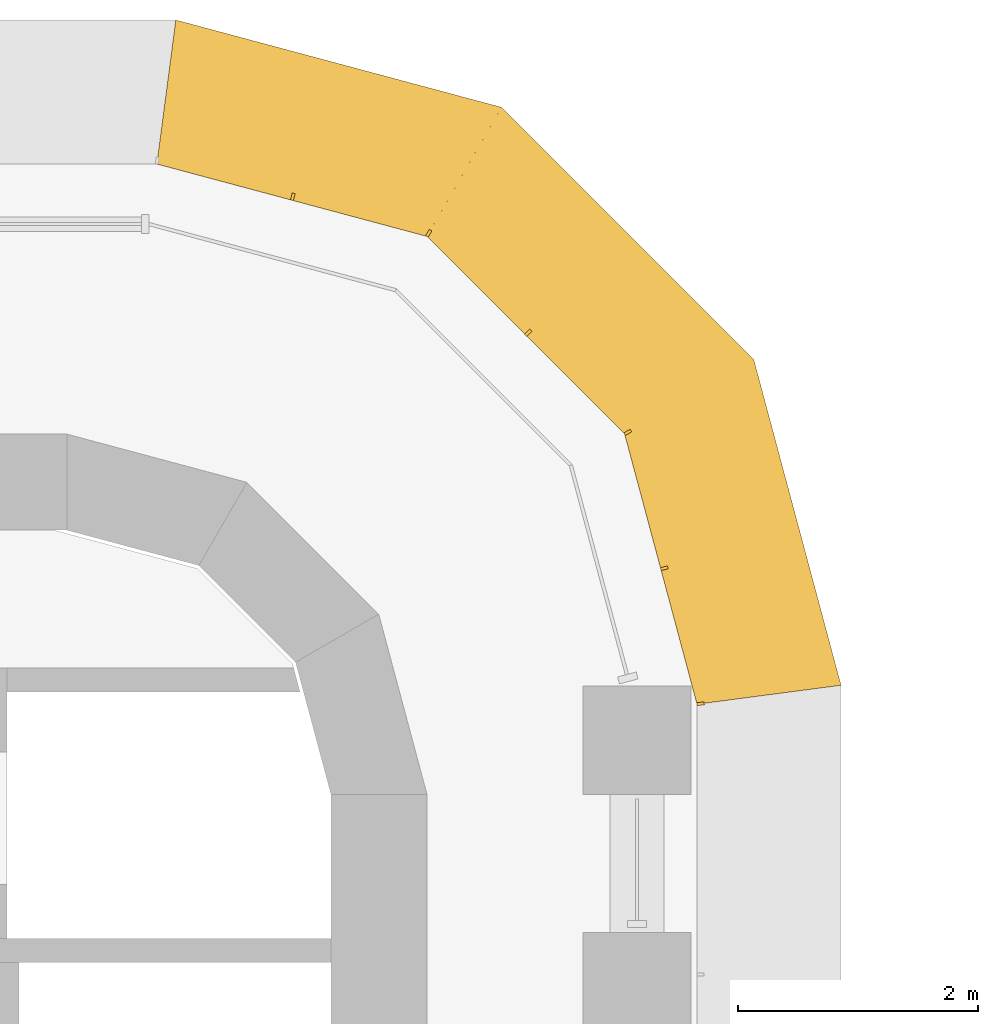
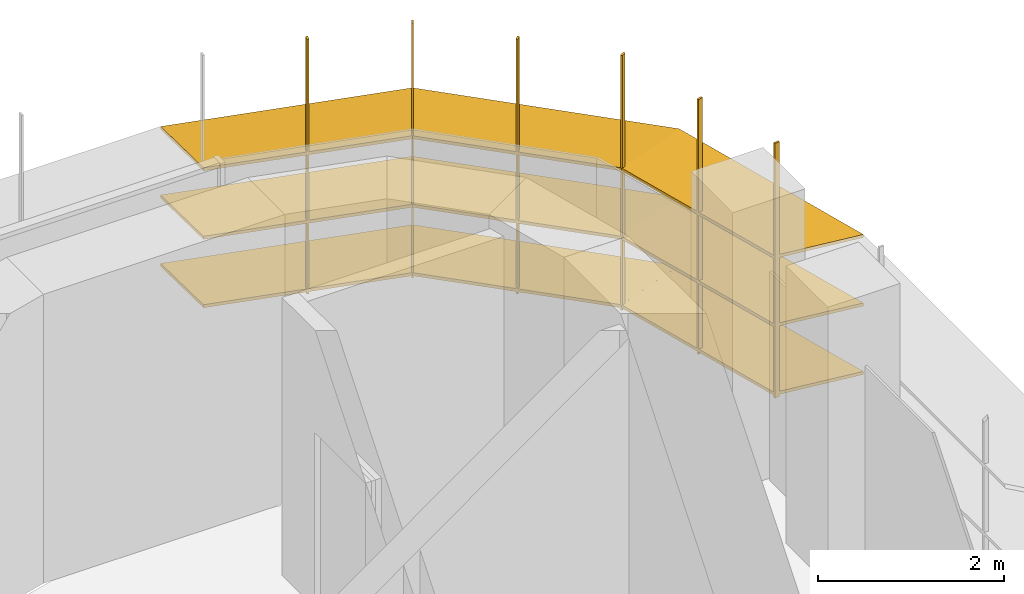
# One storey, part 21 of 21: 1 shading device.
"""IFC4 building model written with IfcOpenShell, lengths in metres."""

from ifc_helpers import new_model, si_unit, direction, frame, origin, place, context, subcontext, project, spatial, polyline, outline, extrude, faceted_brep, source, transform, mapped, material, type_object, element, save


model = new_model("IFC4")

# Units and contexts
model_context = context("Model", 3, precision=1e-05, world=origin(), true_north=direction((0.0, 1.0)))
body_context = subcontext(model_context, "Body", "Model", "MODEL_VIEW")
ifc_project = project(units=[si_unit("LENGTHUNIT", "METRE"), si_unit("AREAUNIT", "SQUARE_METRE"), si_unit("VOLUMEUNIT", "CUBIC_METRE"), si_unit("PLANEANGLEUNIT", "RADIAN"), si_unit("MASSUNIT", "GRAM", prefix="KILO")], contexts=[model_context])

# Site, building, storey
site_placement = place(None, origin())
site = spatial("IfcSite", under=ifc_project, at=site_placement, CompositionType="ELEMENT")
building_placement = place(site_placement, origin())
building = spatial("IfcBuilding", under=site, at=building_placement, Name="Zarbagh Exchange Tower", CompositionType="ELEMENT")
storey_placement = place(building_placement, frame((0.0, 0.0, 117.0)))
storey = spatial("IfcBuildingStorey", under=building, at=storey_placement, Name="L27", CompositionType="ELEMENT", Elevation=117.0)

# Shading device
ifc_material = material(Name="Anodised aluminium blades and brackets", Category="aluminium")
shading_device_type = type_object("IfcShadingDeviceType", Name="SUNSHADE louvre band, 11.25 degree blades", PredefinedType="JALOUSIE", material=ifc_material)
shared_shape_1 = source(origin(), body_context, "Body", "Brep", [
    faceted_brep([(0.0, 0.0, 0.0), (0.0, 0.0, -0.040771484375), (-0.157958984375, -1.199951171875, -0.279541015625), (-0.157958984375, -1.199951171875, -0.23876953125), (2.65087890625, -1.199951171875, -0.23876953125), (2.65087890625, -1.199951171875, -0.279541015625), (2.329345703125, 0.0, -0.040771484375), (2.329345703125, 0.0, 0.0)], [[[0, 1, 2, 3]], [[4, 5, 6, 7]], [[0, 7, 6, 1]], [[1, 6, 5, 2]], [[2, 5, 4, 3]], [[3, 4, 7, 0]]]),
])
shared_shape_2 = source(origin(), body_context, "Body", "Brep", [
    faceted_brep([(0.0, 0.0, 0.0), (0.0, 0.0, -0.040771484375), (-0.321533203125, -1.199951171875, -0.279541015625), (-0.321533203125, -1.199951171875, -0.23876953125), (2.65087890625, -1.199951171875, -0.23876953125), (2.65087890625, -1.199951171875, -0.279541015625), (2.329345703125, 0.0, -0.040771484375), (2.329345703125, 0.0, 0.0)], [[[0, 1, 2, 3]], [[4, 5, 6, 7]], [[0, 7, 6, 1]], [[1, 6, 5, 2]], [[2, 5, 4, 3]], [[3, 4, 7, 0]]]),
])
shared_shape_3 = source(origin(), body_context, "Body", "Brep", [
    faceted_brep([(0.0, 0.0, 0.0), (0.0, 0.0, -0.040771484375), (-0.321533203125, -1.199951171875, -0.279541015625), (-0.321533203125, -1.199951171875, -0.23876953125), (2.4873046875, -1.199951171875, -0.23876953125), (2.4873046875, -1.199951171875, -0.279541015625), (2.329345703125, 0.0, -0.040771484375), (2.329345703125, 0.0, 0.0)], [[[0, 1, 2, 3]], [[4, 5, 6, 7]], [[0, 7, 6, 1]], [[1, 6, 5, 2]], [[2, 5, 4, 3]], [[3, 4, 7, 0]]]),
])
shared_shape_4 = source(origin(), body_context, "Body", "SweptSolid", [
    extrude(outline(polyline([(0.0, -0.012451171875), (0.06005859375, -0.012451171875), (0.06005859375, 0.012451171875), (0.0, 0.012451171875), (0.0, -0.012451171875)])), origin(), (0.0, 0.0, 1.0), 3.350830078125),
])
shading_device_placement = place(storey_placement, origin())
element("IfcShadingDevice", 1, at=shading_device_placement, inside=storey, type_object=shading_device_type, Name="SS26 sunshade band", PredefinedType="JALOUSIE", context=body_context, shape_type="MappedRepresentation", body=[
    mapped(shared_shape_1, transform((6.75, 27.0, 2.300048828125), x_axis=(-0.258824779902, 0.965924289636, 0.0), y_axis=(-0.965924289636, -0.258824779902, 0.0), z_axis=(0.0, 0.0, 1.0))),
    mapped(shared_shape_1, transform((6.75, 27.0, 1.39990234375), x_axis=(-0.258824779902, 0.965924289636, 0.0), y_axis=(-0.965924289636, -0.258824779902, 0.0), z_axis=(0.0, 0.0, 1.0))),
    mapped(shared_shape_1, transform((6.75, 27.0, 0.5), x_axis=(-0.258824779902, 0.965924289636, 0.0), y_axis=(-0.965924289636, -0.258824779902, 0.0), z_axis=(0.0, 0.0, 1.0))),
    mapped(shared_shape_2, transform((6.147216796875, 29.25, 2.300048828125), x_axis=(-0.707106781187, 0.707106781187, 0.0), y_axis=(-0.707106781187, -0.707106781187, 0.0), z_axis=(0.0, 0.0, 1.0))),
    mapped(shared_shape_2, transform((6.147216796875, 29.25, 1.39990234375), x_axis=(-0.707106781187, 0.707106781187, 0.0), y_axis=(-0.707106781187, -0.707106781187, 0.0), z_axis=(0.0, 0.0, 1.0))),
    mapped(shared_shape_2, transform((6.147216796875, 29.25, 0.5), x_axis=(-0.707106781187, 0.707106781187, 0.0), y_axis=(-0.707106781187, -0.707106781187, 0.0), z_axis=(0.0, 0.0, 1.0))),
    mapped(shared_shape_3, transform((4.5, 30.897216796875, 2.300048828125), x_axis=(-0.965924289636, 0.258824779902, 0.0), y_axis=(-0.258824779902, -0.965924289636, 0.0), z_axis=(0.0, 0.0, 1.0))),
    mapped(shared_shape_3, transform((4.5, 30.897216796875, 1.39990234375), x_axis=(-0.965924289636, 0.258824779902, 0.0), y_axis=(-0.258824779902, -0.965924289636, 0.0), z_axis=(0.0, 0.0, 1.0))),
    mapped(shared_shape_3, transform((4.5, 30.897216796875, 0.5), x_axis=(-0.965924289636, 0.258824779902, 0.0), y_axis=(-0.258824779902, -0.965924289636, 0.0), z_axis=(0.0, 0.0, 1.0))),
    mapped(shared_shape_4, transform((6.75, 27.0, 0.42919921875), x_axis=(0.991444457092, 0.130529263012, 0.0), y_axis=(-0.130529263012, 0.991444457092, 0.0), z_axis=(0.0, 0.0, 1.0))),
    mapped(shared_shape_4, transform((6.448486328125, 28.125, 0.42919921875), x_axis=(0.96592421511, 0.258825058029, 0.0), y_axis=(-0.258825058029, 0.96592421511, 0.0), z_axis=(0.0, 0.0, 1.0))),
    mapped(shared_shape_4, transform((6.147216796875, 29.25, 0.42919921875), x_axis=(0.866023812018, 0.50000275701, 0.0), y_axis=(-0.50000275701, 0.866023812018, 0.0), z_axis=(0.0, 0.0, 1.0))),
    mapped(shared_shape_4, transform((5.323486328125, 30.073486328125, 0.42919921875), x_axis=(0.707106781187, 0.707106781187, 0.0), y_axis=(-0.707106781187, 0.707106781187, 0.0), z_axis=(0.0, 0.0, 1.0))),
    mapped(shared_shape_4, transform((4.5, 30.897216796875, 0.42919921875), x_axis=(0.50000275701, 0.866023812018, 0.0), y_axis=(-0.866023812018, 0.50000275701, 0.0), z_axis=(0.0, 0.0, 1.0))),
    mapped(shared_shape_4, transform((3.375, 31.198486328125, 0.42919921875), x_axis=(0.258825058029, 0.96592421511, 0.0), y_axis=(-0.96592421511, 0.258825058029, 0.0), z_axis=(0.0, 0.0, 1.0))),
])

save(model, "model.ifc")
